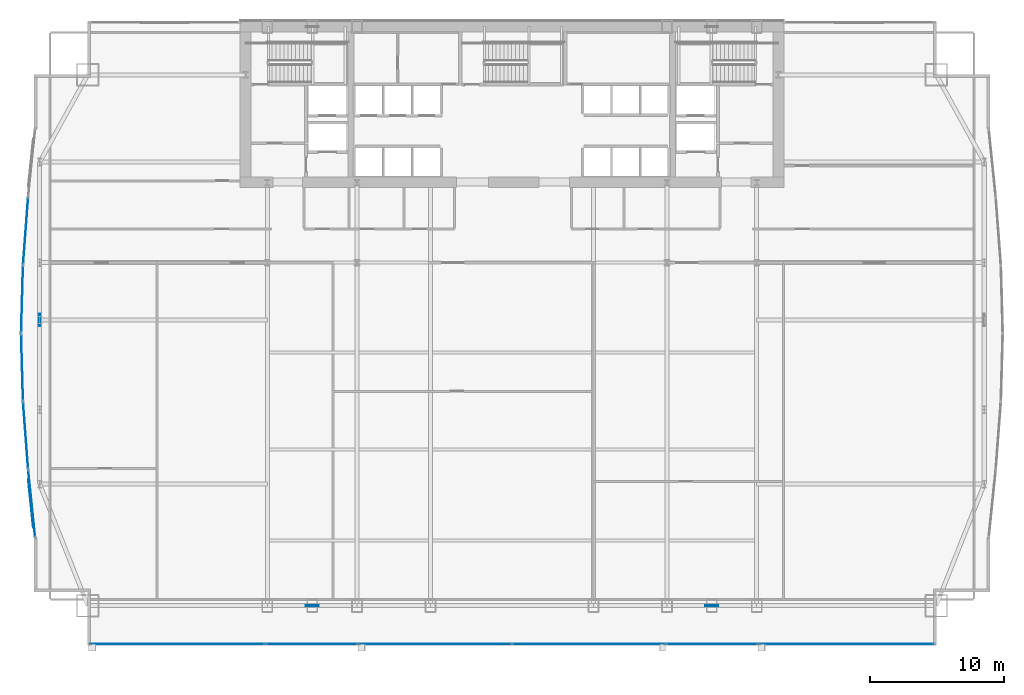
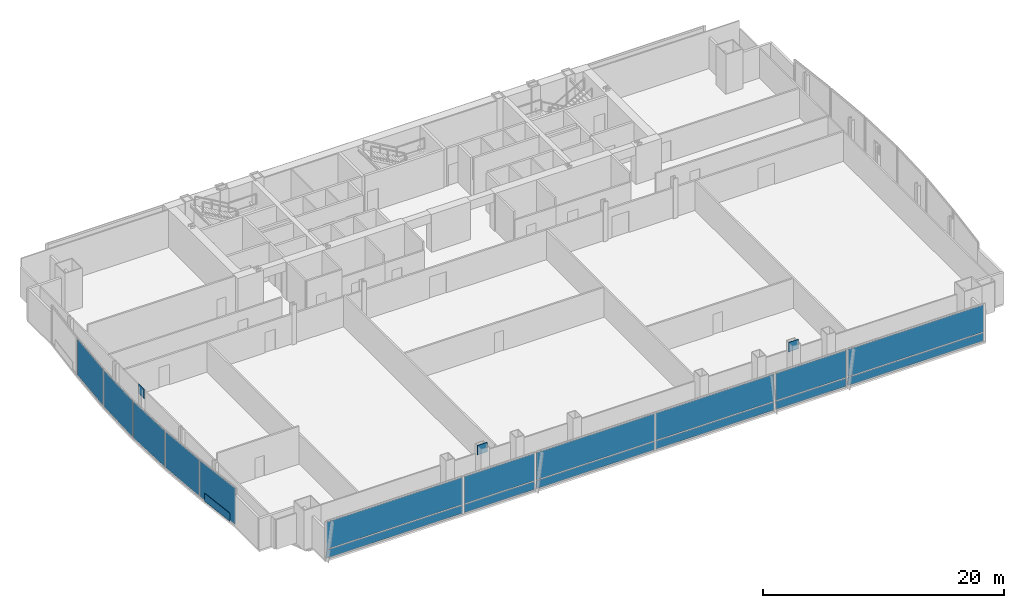
# One storey, part 25 of 33: 21 plates, 10 elements without a shape of their own.
"""IFC4 building model written with IfcOpenShell, lengths in metres."""

from ifc_helpers import new_model, si_unit, direction, frame, origin, origin_2d, place, context, subcontext, project, spatial, rectangle, extrude, material, layer, layer_set, type_object, element, aggregate, save


model = new_model("IFC4")

# Units and contexts
model_context = context("Model", 3, precision=1e-05, world=origin(), true_north=direction((0.0, 1.0)))
body_context = subcontext(model_context, "Body", "Model", "MODEL_VIEW")
ifc_project = project(units=[si_unit("LENGTHUNIT", "METRE"), si_unit("AREAUNIT", "SQUARE_METRE"), si_unit("VOLUMEUNIT", "CUBIC_METRE"), si_unit("PLANEANGLEUNIT", "RADIAN"), si_unit("MASSUNIT", "GRAM", prefix="KILO")], contexts=[model_context])

# Site, building, storey
site_placement = place(None, origin())
site = spatial("IfcSite", under=ifc_project, at=site_placement, CompositionType="ELEMENT")
building_placement = place(site_placement, origin())
building = spatial("IfcBuilding", under=site, at=building_placement, Name="Khoronbel Lancet Exchange", CompositionType="ELEMENT")
storey_placement = place(building_placement, frame((0.0, 0.0, 33.800048828125)))
storey = spatial("IfcBuildingStorey", under=building, at=storey_placement, Name="L07", CompositionType="ELEMENT", Elevation=33.800048828125)

# Curtain wall, plate
ifc_material_1 = material(Name="Low-E Solar Control Insulating Glass", Category="glass")
curtain_wall_type_1 = type_object("IfcCurtainWallType", Name="CW-4", PredefinedType="NOTDEFINED", material=ifc_material_1)
curtain_wall_1_placement = place(storey_placement, origin())
curtain_wall_1 = element("IfcCurtainWall", 1, at=curtain_wall_1_placement, inside=storey, type_object=curtain_wall_type_1, Name="Unitised curtain wall CW-L07-E04", PredefinedType="NOTDEFINED")
ifc_material_2 = material(Name="Bronze-Anodised Aluminium 6063-T6", Category="aluminium")
ifc_layer_1 = layer(ifc_material_2, 0.050048828125, Name="Bronze-Anodised Aluminium 6063-T6")
ifc_layer_set_1 = layer_set([ifc_layer_1], Name="Bronze-Anodised Aluminium 6063-T6")
plate_type_1 = type_object("IfcPlateType", Name="PLT-CSP1", PredefinedType="SHEET", material=ifc_layer_set_1)
plate_1_placement = place(storey_placement, frame((0.61767578125, 17.74169921875, 0.0498046875), z_axis=(0.0, 0.0, 1.0), x_axis=(-0.102723015403, 0.994709998998, 0.0)))
plate_1 = element("IfcPlate", 2, at=plate_1_placement, type_object=plate_type_1, Name="Insulated bronze spandrel cassette CW-L07-E04", PredefinedType="SHEET", context=body_context, shape_type="SweptSolid", body=[
    extrude(rectangle(XDim=3.57958984375, YDim=0.050048828125, at=origin_2d()), origin(), (0.0, 0.0, 1.0), 0.800048828125),
])

curtain_wall_2_placement = place(storey_placement, origin())
curtain_wall_2 = element("IfcCurtainWall", 3, at=curtain_wall_2_placement, inside=storey, type_object=curtain_wall_type_1, Name="Unitised curtain wall CW-L07-E05", PredefinedType="NOTDEFINED")
plate_2_placement = place(storey_placement, frame((0.22265625, 22.831298828125, 0.0849609375), z_axis=(0.0, 0.0, 1.0), x_axis=(-0.075395030141, 0.997153744129, 0.0)))
plate_2 = element("IfcPlate", 4, at=plate_2_placement, type_object=plate_type_1, Name="CW4 panel 1.1", PredefinedType="CURTAIN_PANEL", context=body_context, shape_type="SweptSolid", body=[
    extrude(rectangle(XDim=4.944580078125, YDim=0.0380859375, at=origin_2d()), origin(), (0.0, 0.0, 1.0), 3.64990234375),
])
aggregate(curtain_wall_2, [plate_2])

curtain_wall_3_placement = place(storey_placement, origin())
curtain_wall_3 = element("IfcCurtainWall", 5, at=curtain_wall_3_placement, inside=storey, type_object=curtain_wall_type_1, Name="Unitised curtain wall CW-L07-E06", PredefinedType="NOTDEFINED")
plate_3_placement = place(storey_placement, frame((-0.039794921875, 27.91064453125, 0.0849609375), z_axis=(0.0, 0.0, 1.0), x_axis=(-0.027673647157, 0.999617011286, 0.0)))
plate_3 = element("IfcPlate", 6, at=plate_3_placement, type_object=plate_type_1, Name="CW4 panel 1.1", PredefinedType="CURTAIN_PANEL", context=body_context, shape_type="SweptSolid", body=[
    extrude(rectangle(XDim=4.9306640625, YDim=0.0380859375, at=origin_2d()), origin(), (0.0, 0.0, 1.0), 3.64990234375),
])
aggregate(curtain_wall_3, [plate_3])

curtain_wall_4_placement = place(storey_placement, origin())
curtain_wall_4 = element("IfcCurtainWall", 7, at=curtain_wall_4_placement, inside=storey, type_object=curtain_wall_type_1, Name="Unitised curtain wall CW-L07-E07", PredefinedType="NOTDEFINED")
plate_4_placement = place(storey_placement, frame((-0.039794921875, 32.9892578125, 0.0849609375), z_axis=(0.0, 0.0, 1.0), x_axis=(0.027673647157, 0.999617011286, 0.0)))
plate_4 = element("IfcPlate", 8, at=plate_4_placement, type_object=plate_type_1, Name="CW4 panel 1.1", PredefinedType="CURTAIN_PANEL", context=body_context, shape_type="SweptSolid", body=[
    extrude(rectangle(XDim=4.9306640625, YDim=0.0380859375, at=origin_2d()), origin(), (0.0, 0.0, 1.0), 3.64990234375),
])
aggregate(curtain_wall_4, [plate_4])

curtain_wall_5_placement = place(storey_placement, origin())
curtain_wall_5 = element("IfcCurtainWall", 9, at=curtain_wall_5_placement, inside=storey, type_object=curtain_wall_type_1, Name="Unitised curtain wall CW-L07-E08", PredefinedType="NOTDEFINED")
plate_5_placement = place(storey_placement, frame((0.22265625, 38.068603515625, 0.0849609375), z_axis=(0.0, 0.0, 1.0), x_axis=(0.075395030141, 0.997153744129, 0.0)))
plate_5 = element("IfcPlate", 10, at=plate_5_placement, type_object=plate_type_1, Name="CW4 panel 1.1", PredefinedType="CURTAIN_PANEL", context=body_context, shape_type="SweptSolid", body=[
    extrude(rectangle(XDim=4.944580078125, YDim=0.0380859375, at=origin_2d()), origin(), (0.0, 0.0, 1.0), 3.64990234375),
])
aggregate(curtain_wall_5, [plate_5])

# Curtain wall, plates
curtain_wall_type_2 = type_object("IfcCurtainWallType", Name="CW-1", PredefinedType="NOTDEFINED", material=ifc_material_1)
curtain_wall_6_placement = place(storey_placement, origin())
curtain_wall_6 = element("IfcCurtainWall", 11, at=curtain_wall_6_placement, inside=storey, type_object=curtain_wall_type_2, Name="Unitised curtain wall CW-L07-SWB", PredefinedType="NOTDEFINED")
plate_6_placement = place(storey_placement, frame((21.550048828125, 7.2900390625, 0.0849609375), z_axis=(0.0, 0.0, 1.0), x_axis=(1.0, 0.0, 0.0)))
plate_6 = element("IfcPlate", 12, at=plate_6_placement, type_object=plate_type_1, Name="CW1 panel 1.1", PredefinedType="CURTAIN_PANEL", context=body_context, shape_type="SweptSolid", body=[
    extrude(rectangle(XDim=6.72998046875, YDim=0.0380859375, at=origin_2d()), origin(), (0.0, 0.0, 1.0), 0.822509765625),
])
plate_7_placement = place(storey_placement, frame((21.550048828125, 7.2900390625, 0.99267578125), z_axis=(0.0, 0.0, 1.0), x_axis=(1.0, 0.0, 0.0)))
plate_7 = element("IfcPlate", 13, at=plate_7_placement, type_object=plate_type_1, Name="CW1 panel 1.2", PredefinedType="CURTAIN_PANEL", context=body_context, shape_type="SweptSolid", body=[
    extrude(rectangle(XDim=6.72998046875, YDim=0.0380859375, at=origin_2d()), origin(), (0.0, 0.0, 1.0), 2.742431640625),
])
aggregate(curtain_wall_6, [plate_6, plate_7])

curtain_wall_7_placement = place(storey_placement, origin())
curtain_wall_7 = element("IfcCurtainWall", 14, at=curtain_wall_7_placement, inside=storey, type_object=curtain_wall_type_2, Name="Unitised curtain wall CW-L07-SEB", PredefinedType="NOTDEFINED")
plate_8_placement = place(storey_placement, frame((51.35009765625, 7.2900390625, 0.0849609375), z_axis=(0.0, 0.0, 1.0), x_axis=(1.0, 0.0, 0.0)))
plate_8 = element("IfcPlate", 15, at=plate_8_placement, type_object=plate_type_1, Name="CW1 panel 1.1", PredefinedType="CURTAIN_PANEL", context=body_context, shape_type="SweptSolid", body=[
    extrude(rectangle(XDim=6.72998046875, YDim=0.0380859375, at=origin_2d()), origin(), (0.0, 0.0, 1.0), 0.822509765625),
])
plate_9_placement = place(storey_placement, frame((51.35009765625, 7.2900390625, 0.99267578125), z_axis=(0.0, 0.0, 1.0), x_axis=(1.0, 0.0, 0.0)))
plate_9 = element("IfcPlate", 16, at=plate_9_placement, type_object=plate_type_1, Name="CW1 panel 1.2", PredefinedType="CURTAIN_PANEL", context=body_context, shape_type="SweptSolid", body=[
    extrude(rectangle(XDim=6.72998046875, YDim=0.0380859375, at=origin_2d()), origin(), (0.0, 0.0, 1.0), 2.742431640625),
])
aggregate(curtain_wall_7, [plate_8, plate_9])

curtain_wall_8_placement = place(storey_placement, origin())
curtain_wall_8 = element("IfcCurtainWall", 17, at=curtain_wall_8_placement, inside=storey, type_object=curtain_wall_type_2, Name="Unitised curtain wall CW-L07-SWV", PredefinedType="NOTDEFINED")
ifc_layer_2 = layer(ifc_material_1, 0.035888671875, Name="Low-E Solar Control Insulating Glass")
ifc_layer_set_2 = layer_set([ifc_layer_2], Name="Low-E Solar Control Insulating Glass")
plate_type_2 = type_object("IfcPlateType", Name="PLT-CWP1", PredefinedType="CURTAIN_PANEL", material=ifc_layer_set_2)
plate_10_placement = place(storey_placement, frame((11.52001953125, 7.2900390625, 0.0849609375), z_axis=(0.0, 0.0, 1.0), x_axis=(1.0, 0.0, 0.0)))
plate_10 = element("IfcPlate", 18, at=plate_10_placement, type_object=plate_type_2, Name="CW1 panel 1.1", PredefinedType="CURTAIN_PANEL", context=body_context, shape_type="SweptSolid", body=[
    extrude(rectangle(XDim=12.989990234375, YDim=0.0380859375, at=origin_2d()), origin(), (0.0, 0.0, 1.0), 0.822509765625),
])
plate_11_placement = place(storey_placement, frame((11.52001953125, 7.2900390625, 0.99267578125), z_axis=(0.0, 0.0, 1.0), x_axis=(1.0, 0.0, 0.0)))
plate_11 = element("IfcPlate", 19, at=plate_11_placement, type_object=plate_type_2, Name="CW1 panel 1.2", PredefinedType="CURTAIN_PANEL", context=body_context, shape_type="SweptSolid", body=[
    extrude(rectangle(XDim=12.989990234375, YDim=0.0380859375, at=origin_2d()), origin(), (0.0, 0.0, 1.0), 2.742431640625),
])
aggregate(curtain_wall_8, [plate_10, plate_11])

curtain_wall_9_placement = place(storey_placement, origin())
curtain_wall_9 = element("IfcCurtainWall", 20, at=curtain_wall_9_placement, inside=storey, type_object=curtain_wall_type_2, Name="Unitised curtain wall CW-L07-SCV", PredefinedType="NOTDEFINED")
plate_12_placement = place(storey_placement, frame((30.746337890625, 7.2900390625, 0.0849609375), z_axis=(0.0, 0.0, 1.0), x_axis=(1.0, 0.0, 0.0)))
plate_12 = element("IfcPlate", 21, at=plate_12_placement, type_object=plate_type_2, Name="CW1 panel 1.1", PredefinedType="CURTAIN_PANEL", context=body_context, shape_type="SweptSolid", body=[
    extrude(rectangle(XDim=11.322509765625, YDim=0.0380859375, at=origin_2d()), origin(), (0.0, 0.0, 1.0), 0.822509765625),
])
plate_13_placement = place(storey_placement, frame((30.746337890625, 7.2900390625, 0.99267578125), z_axis=(0.0, 0.0, 1.0), x_axis=(1.0, 0.0, 0.0)))
plate_13 = element("IfcPlate", 22, at=plate_13_placement, type_object=plate_type_2, Name="CW1 panel 1.2", PredefinedType="CURTAIN_PANEL", context=body_context, shape_type="SweptSolid", body=[
    extrude(rectangle(XDim=11.322509765625, YDim=0.0380859375, at=origin_2d()), origin(), (0.0, 0.0, 1.0), 2.742431640625),
])
plate_14_placement = place(storey_placement, frame((42.15380859375, 7.2900390625, 0.0849609375), z_axis=(0.0, 0.0, 1.0), x_axis=(1.0, 0.0, 0.0)))
plate_14 = element("IfcPlate", 23, at=plate_14_placement, type_object=plate_type_2, Name="CW1 panel 2.1", PredefinedType="CURTAIN_PANEL", context=body_context, shape_type="SweptSolid", body=[
    extrude(rectangle(XDim=11.322509765625, YDim=0.0380859375, at=origin_2d()), origin(), (0.0, 0.0, 1.0), 0.822509765625),
])
plate_15_placement = place(storey_placement, frame((42.15380859375, 7.2900390625, 0.99267578125), z_axis=(0.0, 0.0, 1.0), x_axis=(1.0, 0.0, 0.0)))
plate_15 = element("IfcPlate", 24, at=plate_15_placement, type_object=plate_type_2, Name="CW1 panel 2.2", PredefinedType="CURTAIN_PANEL", context=body_context, shape_type="SweptSolid", body=[
    extrude(rectangle(XDim=11.322509765625, YDim=0.0380859375, at=origin_2d()), origin(), (0.0, 0.0, 1.0), 2.742431640625),
])
aggregate(curtain_wall_9, [plate_12, plate_13, plate_14, plate_15])

curtain_wall_10_placement = place(storey_placement, origin())
curtain_wall_10 = element("IfcCurtainWall", 25, at=curtain_wall_10_placement, inside=storey, type_object=curtain_wall_type_2, Name="Unitised curtain wall CW-L07-SEV", PredefinedType="NOTDEFINED")
plate_16_placement = place(storey_placement, frame((61.3798828125, 7.2900390625, 0.0849609375), z_axis=(0.0, 0.0, 1.0), x_axis=(1.0, 0.0, 0.0)))
plate_16 = element("IfcPlate", 26, at=plate_16_placement, type_object=plate_type_2, Name="CW1 panel 1.1", PredefinedType="CURTAIN_PANEL", context=body_context, shape_type="SweptSolid", body=[
    extrude(rectangle(XDim=12.989990234375, YDim=0.0380859375, at=origin_2d()), origin(), (0.0, 0.0, 1.0), 0.822509765625),
])
plate_17_placement = place(storey_placement, frame((61.3798828125, 7.2900390625, 0.99267578125), z_axis=(0.0, 0.0, 1.0), x_axis=(1.0, 0.0, 0.0)))
plate_17 = element("IfcPlate", 27, at=plate_17_placement, type_object=plate_type_2, Name="CW1 panel 1.2", PredefinedType="CURTAIN_PANEL", context=body_context, shape_type="SweptSolid", body=[
    extrude(rectangle(XDim=12.989990234375, YDim=0.0380859375, at=origin_2d()), origin(), (0.0, 0.0, 1.0), 2.742431640625),
])
aggregate(curtain_wall_10, [plate_16, plate_17])

# Plate
ifc_material_3 = material(Name="Ceramic-Fritted Laminated Insulating Glass", Category="glass")
ifc_layer_3 = layer(ifc_material_3, 0.0419921875, Name="Ceramic-Fritted Laminated Insulating Glass")
ifc_layer_set_3 = layer_set([ifc_layer_3], Name="Ceramic-Fritted Laminated Insulating Glass")
plate_type_3 = type_object("IfcPlateType", Name="PLT-CWP2", PredefinedType="CURTAIN_PANEL", material=ifc_layer_set_3)
plate_18_placement = place(storey_placement, frame((0.67724609375, 17.748046875, 0.0849609375), z_axis=(0.0, 0.0, 1.0), x_axis=(-0.102723015403, 0.994709998998, 0.0)))
plate_18 = element("IfcPlate", 28, at=plate_18_placement, type_object=plate_type_3, Name="CW4 panel 1.1", PredefinedType="CURTAIN_PANEL", context=body_context, shape_type="SweptSolid", body=[
    extrude(rectangle(XDim=4.9638671875, YDim=0.0380859375, at=origin_2d()), origin(), (0.0, 0.0, 1.0), 3.64990234375),
])

aggregate(curtain_wall_1, [plate_18, plate_1])

# Plates
ifc_material_4 = material(Name="Steel S460", Category="steel")
ifc_layer_4 = layer(ifc_material_4, 0.06005859375, Name="Steel S460")
ifc_layer_set_4 = layer_set([ifc_layer_4], Name="Steel S460")
plate_type_4 = type_object("IfcPlateType", Name="PLT-ND1", PredefinedType="USERDEFINED", material=ifc_layer_set_4)
for number, where, z_axis, x_axis, name in (
    (29, (21.5625, 10.14990234375, 3.1748046875), (0.0, 0.0, 1.0), (1.0, 0.0, 0.0), "ND1 perimeter brace node gusset T01-S-W"),
    (30, (51.33740234375, 10.14990234375, 3.1748046875), (0.0, 0.0, 1.0), (1.0, 0.0, 0.0), "ND1 perimeter brace node gusset T01-S-E"),
    (31, (1.27001953125, 31.425048828125, 3.1748046875), (0.0, 0.0, 1.0), (0.0, 1.0, 0.0), "ND1 perimeter brace node gusset T01-W-P"),
):
    element("IfcPlate", number, at=place(storey_placement, frame(where, z_axis=z_axis, x_axis=x_axis)), inside=storey, type_object=plate_type_4, Name=name, ObjectType="GUSSET_PLATE", PredefinedType="USERDEFINED", context=body_context, shape_type="SweptSolid", body=[
        extrude(rectangle(XDim=0.949951171875, YDim=0.06005859375, at=origin_2d()), origin(), (0.0, 0.0, 1.0), 0.949951171875),
    ])

save(model, "model.ifc")
